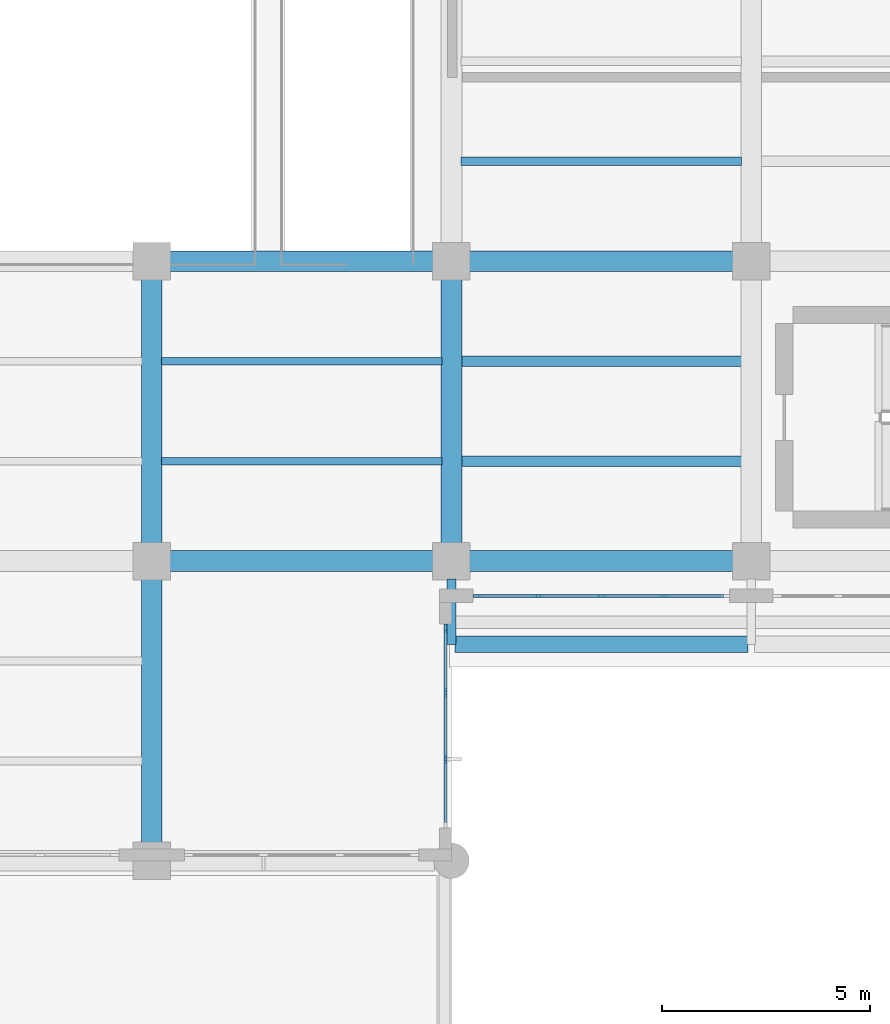
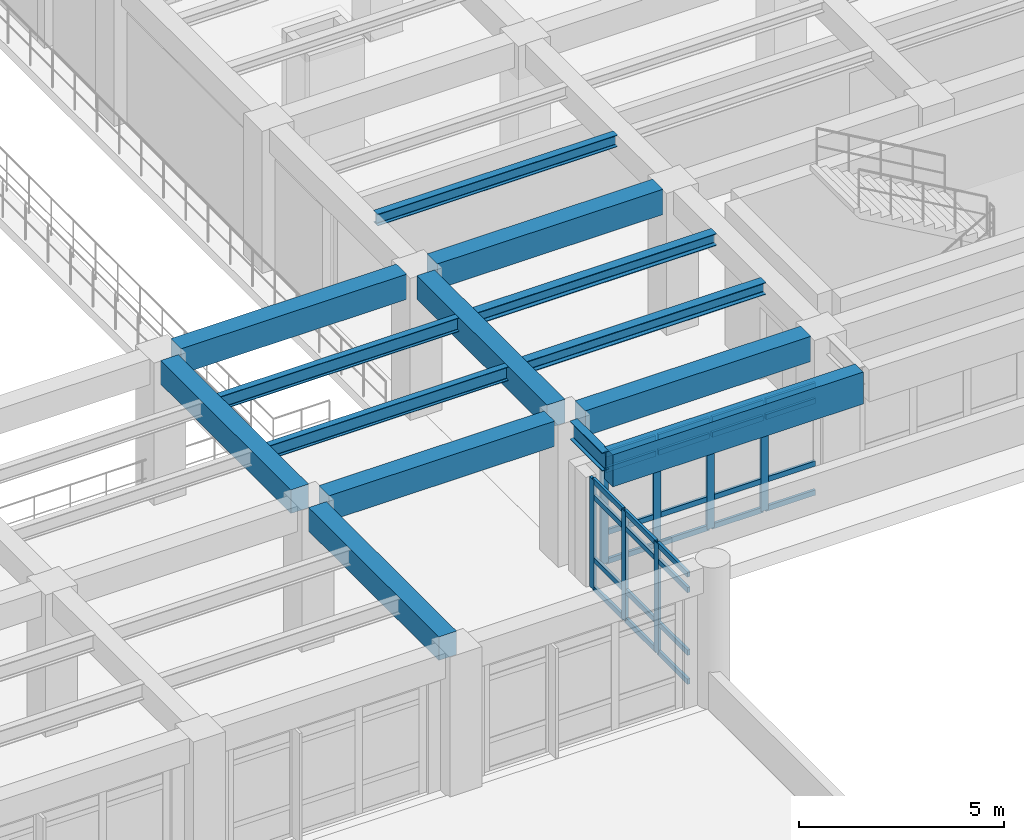
# One storey, part 5 of 69: 35 members, 14 beams, 2 elements without a shape of their own.
"""IFC4 building model written with IfcOpenShell, lengths in metres."""

from ifc_helpers import new_model, si_unit, direction, frame, origin, origin_2d, place, context, subcontext, project, spatial, rectangle, i_section, extrude, material, layer, layer_set, material_profile, profile_set, type_object, element, aggregate, save


model = new_model("IFC4")

# Units and contexts
model_context = context("Model", 3, precision=1e-05, world=origin(), true_north=direction((0.0, 1.0)))
body_context = subcontext(model_context, "Body", "Model", "MODEL_VIEW")
ifc_project = project(units=[si_unit("LENGTHUNIT", "METRE"), si_unit("AREAUNIT", "SQUARE_METRE"), si_unit("VOLUMEUNIT", "CUBIC_METRE"), si_unit("PLANEANGLEUNIT", "RADIAN"), si_unit("MASSUNIT", "GRAM", prefix="KILO")], contexts=[model_context])

# Site, building, storey
site_placement = place(None, origin())
site = spatial("IfcSite", under=ifc_project, at=site_placement, CompositionType="ELEMENT")
building_placement = place(site_placement, origin())
building = spatial("IfcBuilding", under=site, at=building_placement, Name="Solenvale Faculty of Natural Sciences", CompositionType="ELEMENT")
storey_placement = place(building_placement, frame((0.0, 0.0, 4.5)))
storey = spatial("IfcBuildingStorey", under=building, at=storey_placement, Name="L01", CompositionType="ELEMENT", Elevation=4.5)

# Beams
ifc_material_1 = material(Name="Concrete 40 MPa", Category="concrete")
ifc_material_profile_1 = material_profile(ifc_material_1, rectangle(XDim=0.5, YDim=0.699951171875, at=origin_2d()), Name="RC-BM-500x700")
ifc_profile_set_1 = profile_set([ifc_material_profile_1], Name="Concrete 40 MPa")
beam_type_1 = type_object("IfcBeamType", Name="BM-RC-500x700", PredefinedType="BEAM", material=ifc_profile_set_1)
beam_1_placement = place(storey_placement, frame((50.39990234375, 14.830078125, 3.8701171875), z_axis=(0.0, 1.0, 0.0), x_axis=(-1.0, 0.0, 0.0)))
element("IfcBeam", 1, at=beam_1_placement, inside=storey, type_object=beam_type_1, Name="L01 Y-Girder X50.4 (14.4..21.6)", PredefinedType="BEAM", context=body_context, shape_type="SweptSolid", body=[
    extrude(rectangle(XDim=0.5, YDim=0.699951171875, at=origin_2d()), origin(), (0.0, 0.0, 1.0), 6.33984375),
])
for number, where, z_axis, x_axis, name in (
    (2, (50.39990234375, 22.030029296875, 3.8701171875), (0.0, 1.0, 0.0), (-1.0, 0.0, 0.0), "L01 Y-Girder X50.4 (21.6..28.8)"),
    (3, (57.60009765625, 22.030029296875, 3.8701171875), (0.0, 1.0, 0.0), (-1.0, 0.0, 0.0), "L01 Y-Girder X57.6 (21.6..28.8)"),
):
    element("IfcBeam", number, at=place(storey_placement, frame(where, z_axis=z_axis, x_axis=x_axis)), inside=storey, type_object=beam_type_1, Name=name, PredefinedType="BEAM", context=body_context, shape_type="SweptSolid", body=[
        extrude(rectangle(XDim=0.5, YDim=0.699951171875, at=origin_2d()), origin(), (0.0, 0.0, 1.0), 6.340087890625),
    ])
ifc_material_profile_2 = material_profile(ifc_material_1, rectangle(XDim=0.5, YDim=0.75, at=origin_2d()), Name="RC-BM-500x750")
ifc_profile_set_2 = profile_set([ifc_material_profile_2], Name="Concrete 40 MPa")
beam_type_2 = type_object("IfcBeamType", Name="BM-RC-500x750", PredefinedType="BEAM", material=ifc_profile_set_2)
beam_2_placement = place(storey_placement, frame((50.830078125, 21.60009765625, 3.844970703125), z_axis=(1.0, 0.0, 0.0), x_axis=(0.0, 1.0, 0.0)))
element("IfcBeam", 4, at=beam_2_placement, inside=storey, type_object=beam_type_2, Name="L01 X-Girder Y21.6 (50.4..57.6)", PredefinedType="BEAM", context=body_context, shape_type="SweptSolid", body=[
    extrude(rectangle(XDim=0.5, YDim=0.75, at=origin_2d()), origin(), (0.0, 0.0, 1.0), 6.33984375),
])
beam_3_placement = place(storey_placement, frame((58.030029296875, 21.60009765625, 3.844970703125), z_axis=(1.0, 0.0, 0.0), x_axis=(0.0, 1.0, 0.0)))
element("IfcBeam", 5, at=beam_3_placement, inside=storey, type_object=beam_type_2, Name="L01 X-Girder Y21.6 (57.6..64.8)", PredefinedType="BEAM", context=body_context, shape_type="SweptSolid", body=[
    extrude(rectangle(XDim=0.5, YDim=0.75, at=origin_2d()), origin(), (0.0, 0.0, 1.0), 6.340087890625),
])
beam_4_placement = place(storey_placement, frame((50.830078125, 28.800048828125, 3.844970703125), z_axis=(1.0, 0.0, 0.0), x_axis=(0.0, 1.0, 0.0)))
element("IfcBeam", 6, at=beam_4_placement, inside=storey, type_object=beam_type_2, Name="L01 X-Girder Y28.8 (50.4..57.6)", PredefinedType="BEAM", context=body_context, shape_type="SweptSolid", body=[
    extrude(rectangle(XDim=0.5, YDim=0.75, at=origin_2d()), origin(), (0.0, 0.0, 1.0), 6.33984375),
])
beam_5_placement = place(storey_placement, frame((58.030029296875, 28.800048828125, 3.844970703125), z_axis=(1.0, 0.0, 0.0), x_axis=(0.0, 1.0, 0.0)))
element("IfcBeam", 7, at=beam_5_placement, inside=storey, type_object=beam_type_2, Name="L01 X-Girder Y28.8 (57.6..64.8)", PredefinedType="BEAM", context=body_context, shape_type="SweptSolid", body=[
    extrude(rectangle(XDim=0.5, YDim=0.75, at=origin_2d()), origin(), (0.0, 0.0, 1.0), 6.340087890625),
])
ifc_material_2 = material(Name="Architectural bronze concrete 40 MPa", Category="concrete")
ifc_material_profile_3 = material_profile(ifc_material_2, rectangle(XDim=0.39990234375, YDim=0.949951171875, at=origin_2d()), Name="RC-SPN-400x950")
ifc_profile_set_3 = profile_set([ifc_material_profile_3], Name="Architectural bronze concrete 40 MPa")
beam_type_3 = type_object("IfcBeamType", Name="BM-SPN-BRZ-950", PredefinedType="SPANDREL", material=ifc_profile_set_3)
beam_6_placement = place(storey_placement, frame((57.679931640625, 19.60009765625, 3.7451171875), z_axis=(1.0, 0.0, 0.0), x_axis=(0.0, 1.0, 0.0)))
element("IfcBeam", 8, at=beam_6_placement, inside=storey, type_object=beam_type_3, Name="L02 Sliding-Tray South Bronze Fascia 1", PredefinedType="SPANDREL", context=body_context, shape_type="SweptSolid", body=[
    extrude(rectangle(XDim=0.39990234375, YDim=0.949951171875, at=origin_2d()), origin(), (0.0, 0.0, 1.0), 7.0400390625),
])
ifc_material_3 = material(Name="Steel S355", Category="steel")
ifc_material_profile_4 = material_profile(ifc_material_3, i_section(OverallWidth=0.2548828125, OverallDepth=0.35693359375, WebThickness=0.010498046875, FlangeThickness=0.018310546875, FilletRadius=0.014892578125, at=origin_2d()), Name="W360x101")
ifc_profile_set_4 = profile_set([ifc_material_profile_4], Name="Steel S355")
beam_type_4 = type_object("IfcBeamType", Name="BM-STL-W360x101", PredefinedType="JOIST", material=ifc_profile_set_4)
for number, where, z_axis, x_axis, name in (
    (9, (57.830078125, 24.0, 4.04150390625), (1.0, 0.0, 0.0), (0.0, 1.0, 0.0), "L01 Composite Floor Joist (9,4).1"),
    (10, (57.830078125, 26.39990234375, 4.04150390625), (1.0, 0.0, 0.0), (0.0, 1.0, 0.0), "L01 Composite Floor Joist (9,4).2"),
):
    element("IfcBeam", number, at=place(storey_placement, frame(where, z_axis=z_axis, x_axis=x_axis)), inside=storey, type_object=beam_type_4, Name=name, PredefinedType="JOIST", context=body_context, shape_type="SweptSolid", body=[
        extrude(i_section(OverallWidth=0.2548828125, OverallDepth=0.35693359375, WebThickness=0.010498046875, FlangeThickness=0.018310546875, FilletRadius=0.014892578125, at=origin_2d()), origin(), (0.0, 0.0, 1.0), 6.739990234375),
    ])
ifc_material_profile_5 = material_profile(ifc_material_3, i_section(OverallWidth=0.2041015625, OverallDepth=0.35009765625, WebThickness=0.008544921875, FlangeThickness=0.01513671875, FilletRadius=0.014892578125, at=origin_2d()), Name="W360x72")
ifc_profile_set_5 = profile_set([ifc_material_profile_5], Name="Steel S355")
beam_type_5 = type_object("IfcBeamType", Name="BM-STL-W360x72", PredefinedType="JOIST", material=ifc_profile_set_5)
beam_7_placement = place(storey_placement, frame((57.830078125, 31.199951171875, 4.044921875), z_axis=(1.0, 0.0, 0.0), x_axis=(0.0, 1.0, 0.0)))
element("IfcBeam", 11, at=beam_7_placement, inside=storey, type_object=beam_type_5, Name="L01 Composite Floor Joist (9,5).1", PredefinedType="JOIST", context=body_context, shape_type="SweptSolid", body=[
    extrude(i_section(OverallWidth=0.2041015625, OverallDepth=0.35009765625, WebThickness=0.008544921875, FlangeThickness=0.01513671875, FilletRadius=0.014892578125, at=origin_2d()), origin(), (0.0, 0.0, 1.0), 6.739990234375),
])
ifc_material_profile_6 = material_profile(ifc_material_3, i_section(OverallWidth=0.178955078125, OverallDepth=0.409912109375, WebThickness=0.0087890625, FlangeThickness=0.014404296875, FilletRadius=0.01611328125, at=origin_2d()), Name="W410x67")
ifc_profile_set_6 = profile_set([ifc_material_profile_6], Name="Steel S355")
beam_type_6 = type_object("IfcBeamType", Name="BM-STL-W410x67", PredefinedType="JOIST", material=ifc_profile_set_6)
for number, where, z_axis, x_axis, name in (
    (12, (50.6298828125, 24.0, 4.014892578125), (1.0, 0.0, 0.0), (0.0, 1.0, 0.0), "L01 Composite Floor Joist (8,4).1"),
    (13, (50.6298828125, 26.39990234375, 4.014892578125), (1.0, 0.0, 0.0), (0.0, 1.0, 0.0), "L01 Composite Floor Joist (8,4).2"),
):
    element("IfcBeam", number, at=place(storey_placement, frame(where, z_axis=z_axis, x_axis=x_axis)), inside=storey, type_object=beam_type_6, Name=name, PredefinedType="JOIST", context=body_context, shape_type="SweptSolid", body=[
        extrude(i_section(OverallWidth=0.178955078125, OverallDepth=0.409912109375, WebThickness=0.0087890625, FlangeThickness=0.014404296875, FilletRadius=0.01611328125, at=origin_2d()), origin(), (0.0, 0.0, 1.0), 6.740234375),
    ])
ifc_material_profile_7 = material_profile(ifc_material_3, i_section(OverallWidth=0.2119140625, OverallDepth=0.5439453125, WebThickness=0.01318359375, FlangeThickness=0.021240234375, FilletRadius=0.01904296875, at=origin_2d()), Name="W530x123")
ifc_profile_set_7 = profile_set([ifc_material_profile_7], Name="Steel S355")
beam_type_7 = type_object("IfcBeamType", Name="BM-STL-W530x123", PredefinedType="BEAM", material=ifc_profile_set_7)
beam_8_placement = place(storey_placement, frame((57.60009765625, 21.169921875, 3.947998046875), z_axis=(0.0, -1.0, 0.0), x_axis=(1.0, 0.0, 0.0)))
element("IfcBeam", 14, at=beam_8_placement, inside=storey, type_object=beam_type_7, Name="L01 V4 Cantilever Tray Girder X57.6", PredefinedType="BEAM", context=body_context, shape_type="SweptSolid", body=[
    extrude(i_section(OverallWidth=0.2119140625, OverallDepth=0.5439453125, WebThickness=0.01318359375, FlangeThickness=0.021240234375, FilletRadius=0.01904296875, at=origin_2d()), origin(), (0.0, 0.0, 1.0), 1.56982421875),
])

# Curtain wall, members
ifc_material_4 = material(Name="Anodised bronze aluminium", Category="aluminium")
ifc_layer_1 = layer(ifc_material_4, 0.215087890625)
ifc_layer_set_1 = layer_set([ifc_layer_1], Name="Anodised bronze aluminium")
curtain_wall_type_1 = type_object("IfcCurtainWallType", Name="CW-ATR-UNIT", PredefinedType="USERDEFINED", material=ifc_layer_set_1)
curtain_wall_1_placement = place(storey_placement, origin())
curtain_wall_1 = element("IfcCurtainWall", 15, at=curtain_wall_1_placement, inside=storey, type_object=curtain_wall_type_1, Name="L01 Curtain Wall CW-L01-P1-E4-B1", ObjectType="UNITISED CURTAIN WALL", PredefinedType="USERDEFINED")
ifc_material_profile_8 = material_profile(ifc_material_4, rectangle(XDim=0.074951171875, YDim=0.2099609375, at=origin_2d()), Name="ALU-MUL-75x210")
ifc_profile_set_8 = profile_set([ifc_material_profile_8], Name="Anodised bronze aluminium")
member_type_1 = type_object("IfcMemberType", Name="CWM-ALU-75x210", PredefinedType="MULLION", material=ifc_profile_set_8)
member_1_placement = place(storey_placement, frame((57.45751953125, 16.840087890625, 0.0), z_axis=(0.0, 0.0, 1.0), x_axis=(-1.0, 0.0, 0.0)))
member_1 = element("IfcMember", 16, at=member_1_placement, type_object=member_type_1, Name="CW-01 mullion 2", PredefinedType="MULLION", context=body_context, shape_type="SweptSolid", body=[
    extrude(rectangle(XDim=0.074951171875, YDim=0.2099609375, at=origin_2d()), origin(), (0.0, 0.0, 1.0), 3.260009765625),
])
member_2_placement = place(storey_placement, frame((57.45751953125, 18.429931640625, 0.0), z_axis=(0.0, 0.0, 1.0), x_axis=(-1.0, 0.0, 0.0)))
member_2 = element("IfcMember", 17, at=member_2_placement, type_object=member_type_1, Name="CW-01 mullion 3", PredefinedType="MULLION", context=body_context, shape_type="SweptSolid", body=[
    extrude(rectangle(XDim=0.074951171875, YDim=0.2099609375, at=origin_2d()), origin(), (0.0, 0.0, 1.0), 3.260009765625),
])
member_3_placement = place(storey_placement, frame((57.45751953125, 19.982421875, 0.0), z_axis=(0.0, 0.0, 1.0), x_axis=(-1.0, 0.0, 0.0)))
member_3 = element("IfcMember", 18, at=member_3_placement, type_object=member_type_1, Name="CW-01 mullion 4", PredefinedType="MULLION", context=body_context, shape_type="SweptSolid", body=[
    extrude(rectangle(XDim=0.074951171875, YDim=0.2099609375, at=origin_2d()), origin(), (0.0, 0.0, 1.0), 3.260009765625),
])

ifc_layer_2 = layer(ifc_material_4, 0.18994140625)
ifc_layer_set_2 = layer_set([ifc_layer_2], Name="Anodised bronze aluminium")
curtain_wall_type_2 = type_object("IfcCurtainWallType", Name="CW-TRAY-REC", PredefinedType="USERDEFINED", material=ifc_layer_set_2)
curtain_wall_2_placement = place(storey_placement, origin())
curtain_wall_2 = element("IfcCurtainWall", 19, at=curtain_wall_2_placement, inside=storey, type_object=curtain_wall_type_2, Name="L01 Curtain Wall CW-L01-P1-E5-B1", ObjectType="UNITISED CURTAIN WALL", PredefinedType="USERDEFINED")
member_4_placement = place(storey_placement, frame((58.217529296875, 20.762451171875, 0.0), z_axis=(0.0, 0.0, 1.0), x_axis=(0.0, 1.0, 0.0)))
member_4 = element("IfcMember", 20, at=member_4_placement, type_object=member_type_1, Name="CW-02 mullion 1", PredefinedType="MULLION", context=body_context, shape_type="SweptSolid", body=[
    extrude(rectangle(XDim=0.074951171875, YDim=0.2099609375, at=origin_2d()), origin(), (0.0, 0.0, 1.0), 3.260009765625),
])
member_5_placement = place(storey_placement, frame((59.68994140625, 20.762451171875, 0.0), z_axis=(0.0, 0.0, 1.0), x_axis=(0.0, 1.0, 0.0)))
member_5 = element("IfcMember", 21, at=member_5_placement, type_object=member_type_1, Name="CW-02 mullion 2", PredefinedType="MULLION", context=body_context, shape_type="SweptSolid", body=[
    extrude(rectangle(XDim=0.074951171875, YDim=0.2099609375, at=origin_2d()), origin(), (0.0, 0.0, 1.0), 3.260009765625),
])
member_6_placement = place(storey_placement, frame((61.199951171875, 20.762451171875, 0.0), z_axis=(0.0, 0.0, 1.0), x_axis=(0.0, 1.0, 0.0)))
member_6 = element("IfcMember", 22, at=member_6_placement, type_object=member_type_1, Name="CW-02 mullion 3", PredefinedType="MULLION", context=body_context, shape_type="SweptSolid", body=[
    extrude(rectangle(XDim=0.074951171875, YDim=0.2099609375, at=origin_2d()), origin(), (0.0, 0.0, 1.0), 3.260009765625),
])
member_7_placement = place(storey_placement, frame((62.7099609375, 20.762451171875, 0.0), z_axis=(0.0, 0.0, 1.0), x_axis=(0.0, 1.0, 0.0)))
member_7 = element("IfcMember", 23, at=member_7_placement, type_object=member_type_1, Name="CW-02 mullion 4", PredefinedType="MULLION", context=body_context, shape_type="SweptSolid", body=[
    extrude(rectangle(XDim=0.074951171875, YDim=0.2099609375, at=origin_2d()), origin(), (0.0, 0.0, 1.0), 3.260009765625),
])

# Member
ifc_material_profile_9 = material_profile(ifc_material_4, rectangle(XDim=0.074951171875, YDim=0.155029296875, at=origin_2d()), Name="ALU-TRN-75x155")
ifc_profile_set_9 = profile_set([ifc_material_profile_9], Name="Anodised bronze aluminium")
member_type_2 = type_object("IfcMemberType", Name="CWT-ALU-75x155", PredefinedType="USERDEFINED", material=ifc_profile_set_9)
member_8_placement = place(storey_placement, frame((57.45751953125, 15.324951171875, 0.03759765625), z_axis=(0.0, 1.0, 0.0), x_axis=(-1.0, 0.0, 0.0)))
member_8 = element("IfcMember", 24, at=member_8_placement, type_object=member_type_2, Name="CW-01 transom 1.1", ObjectType="TRANSOM", PredefinedType="USERDEFINED", context=body_context, shape_type="SweptSolid", body=[
    extrude(rectangle(XDim=0.074951171875, YDim=0.155029296875, at=origin_2d()), origin(), (0.0, 0.0, 1.0), 1.4775390625),
])

member_9_placement = place(storey_placement, frame((57.45751953125, 15.324951171875, 0.89990234375), z_axis=(0.0, 1.0, 0.0), x_axis=(-1.0, 0.0, 0.0)))
member_9 = element("IfcMember", 25, at=member_9_placement, type_object=member_type_2, Name="CW-01 transom 1.2", ObjectType="TRANSOM", PredefinedType="USERDEFINED", context=body_context, shape_type="SweptSolid", body=[
    extrude(rectangle(XDim=0.074951171875, YDim=0.155029296875, at=origin_2d()), origin(), (0.0, 0.0, 1.0), 1.4775390625),
])

member_10_placement = place(storey_placement, frame((57.45751953125, 15.324951171875, 2.760009765625), z_axis=(0.0, 1.0, 0.0), x_axis=(-1.0, 0.0, 0.0)))
member_10 = element("IfcMember", 26, at=member_10_placement, type_object=member_type_2, Name="CW-01 transom 1.3", ObjectType="TRANSOM", PredefinedType="USERDEFINED", context=body_context, shape_type="SweptSolid", body=[
    extrude(rectangle(XDim=0.074951171875, YDim=0.155029296875, at=origin_2d()), origin(), (0.0, 0.0, 1.0), 1.4775390625),
])

member_11_placement = place(storey_placement, frame((57.45751953125, 15.324951171875, 3.222412109375), z_axis=(0.0, 1.0, 0.0), x_axis=(-1.0, 0.0, 0.0)))
member_11 = element("IfcMember", 27, at=member_11_placement, type_object=member_type_2, Name="CW-01 transom 1.4", ObjectType="TRANSOM", PredefinedType="USERDEFINED", context=body_context, shape_type="SweptSolid", body=[
    extrude(rectangle(XDim=0.074951171875, YDim=0.155029296875, at=origin_2d()), origin(), (0.0, 0.0, 1.0), 1.4775390625),
])

member_12_placement = place(storey_placement, frame((57.45751953125, 16.87744140625, 0.03759765625), z_axis=(0.0, 1.0, 0.0), x_axis=(-1.0, 0.0, 0.0)))
member_12 = element("IfcMember", 28, at=member_12_placement, type_object=member_type_2, Name="CW-01 transom 2.1", ObjectType="TRANSOM", PredefinedType="USERDEFINED", context=body_context, shape_type="SweptSolid", body=[
    extrude(rectangle(XDim=0.074951171875, YDim=0.155029296875, at=origin_2d()), origin(), (0.0, 0.0, 1.0), 1.51513671875),
])

member_13_placement = place(storey_placement, frame((57.45751953125, 16.87744140625, 0.89990234375), z_axis=(0.0, 1.0, 0.0), x_axis=(-1.0, 0.0, 0.0)))
member_13 = element("IfcMember", 29, at=member_13_placement, type_object=member_type_2, Name="CW-01 transom 2.2", ObjectType="TRANSOM", PredefinedType="USERDEFINED", context=body_context, shape_type="SweptSolid", body=[
    extrude(rectangle(XDim=0.074951171875, YDim=0.155029296875, at=origin_2d()), origin(), (0.0, 0.0, 1.0), 1.51513671875),
])

member_14_placement = place(storey_placement, frame((57.45751953125, 16.87744140625, 2.760009765625), z_axis=(0.0, 1.0, 0.0), x_axis=(-1.0, 0.0, 0.0)))
member_14 = element("IfcMember", 30, at=member_14_placement, type_object=member_type_2, Name="CW-01 transom 2.3", ObjectType="TRANSOM", PredefinedType="USERDEFINED", context=body_context, shape_type="SweptSolid", body=[
    extrude(rectangle(XDim=0.074951171875, YDim=0.155029296875, at=origin_2d()), origin(), (0.0, 0.0, 1.0), 1.51513671875),
])

member_15_placement = place(storey_placement, frame((57.45751953125, 16.87744140625, 3.222412109375), z_axis=(0.0, 1.0, 0.0), x_axis=(-1.0, 0.0, 0.0)))
member_15 = element("IfcMember", 31, at=member_15_placement, type_object=member_type_2, Name="CW-01 transom 2.4", ObjectType="TRANSOM", PredefinedType="USERDEFINED", context=body_context, shape_type="SweptSolid", body=[
    extrude(rectangle(XDim=0.074951171875, YDim=0.155029296875, at=origin_2d()), origin(), (0.0, 0.0, 1.0), 1.51513671875),
])

member_16_placement = place(storey_placement, frame((57.45751953125, 18.467529296875, 0.03759765625), z_axis=(0.0, 1.0, 0.0), x_axis=(-1.0, 0.0, 0.0)))
member_16 = element("IfcMember", 32, at=member_16_placement, type_object=member_type_2, Name="CW-01 transom 3.1", ObjectType="TRANSOM", PredefinedType="USERDEFINED", context=body_context, shape_type="SweptSolid", body=[
    extrude(rectangle(XDim=0.074951171875, YDim=0.155029296875, at=origin_2d()), origin(), (0.0, 0.0, 1.0), 1.4775390625),
])

member_17_placement = place(storey_placement, frame((57.45751953125, 18.467529296875, 0.89990234375), z_axis=(0.0, 1.0, 0.0), x_axis=(-1.0, 0.0, 0.0)))
member_17 = element("IfcMember", 33, at=member_17_placement, type_object=member_type_2, Name="CW-01 transom 3.2", ObjectType="TRANSOM", PredefinedType="USERDEFINED", context=body_context, shape_type="SweptSolid", body=[
    extrude(rectangle(XDim=0.074951171875, YDim=0.155029296875, at=origin_2d()), origin(), (0.0, 0.0, 1.0), 1.4775390625),
])

member_18_placement = place(storey_placement, frame((57.45751953125, 18.467529296875, 2.760009765625), z_axis=(0.0, 1.0, 0.0), x_axis=(-1.0, 0.0, 0.0)))
member_18 = element("IfcMember", 34, at=member_18_placement, type_object=member_type_2, Name="CW-01 transom 3.3", ObjectType="TRANSOM", PredefinedType="USERDEFINED", context=body_context, shape_type="SweptSolid", body=[
    extrude(rectangle(XDim=0.074951171875, YDim=0.155029296875, at=origin_2d()), origin(), (0.0, 0.0, 1.0), 1.4775390625),
])

member_19_placement = place(storey_placement, frame((57.45751953125, 18.467529296875, 3.222412109375), z_axis=(0.0, 1.0, 0.0), x_axis=(-1.0, 0.0, 0.0)))
member_19 = element("IfcMember", 35, at=member_19_placement, type_object=member_type_2, Name="CW-01 transom 3.4", ObjectType="TRANSOM", PredefinedType="USERDEFINED", context=body_context, shape_type="SweptSolid", body=[
    extrude(rectangle(XDim=0.074951171875, YDim=0.155029296875, at=origin_2d()), origin(), (0.0, 0.0, 1.0), 1.4775390625),
])

aggregate(curtain_wall_1, [member_1, member_2, member_3, member_8, member_9, member_10, member_11, member_12, member_13, member_14, member_15, member_16, member_17, member_18, member_19])

member_20_placement = place(storey_placement, frame((58.2548828125, 20.762451171875, 0.03759765625), z_axis=(1.0, 0.0, 0.0), x_axis=(0.0, 1.0, 0.0)))
member_20 = element("IfcMember", 36, at=member_20_placement, type_object=member_type_2, Name="CW-02 transom 1.1", ObjectType="TRANSOM", PredefinedType="USERDEFINED", context=body_context, shape_type="SweptSolid", body=[
    extrude(rectangle(XDim=0.074951171875, YDim=0.155029296875, at=origin_2d()), origin(), (0.0, 0.0, 1.0), 1.397705078125),
])

member_21_placement = place(storey_placement, frame((58.2548828125, 20.762451171875, 0.89990234375), z_axis=(1.0, 0.0, 0.0), x_axis=(0.0, 1.0, 0.0)))
member_21 = element("IfcMember", 37, at=member_21_placement, type_object=member_type_2, Name="CW-02 transom 1.2", ObjectType="TRANSOM", PredefinedType="USERDEFINED", context=body_context, shape_type="SweptSolid", body=[
    extrude(rectangle(XDim=0.074951171875, YDim=0.155029296875, at=origin_2d()), origin(), (0.0, 0.0, 1.0), 1.397705078125),
])

member_22_placement = place(storey_placement, frame((58.2548828125, 20.762451171875, 2.760009765625), z_axis=(1.0, 0.0, 0.0), x_axis=(0.0, 1.0, 0.0)))
member_22 = element("IfcMember", 38, at=member_22_placement, type_object=member_type_2, Name="CW-02 transom 1.3", ObjectType="TRANSOM", PredefinedType="USERDEFINED", context=body_context, shape_type="SweptSolid", body=[
    extrude(rectangle(XDim=0.074951171875, YDim=0.155029296875, at=origin_2d()), origin(), (0.0, 0.0, 1.0), 1.397705078125),
])

member_23_placement = place(storey_placement, frame((58.2548828125, 20.762451171875, 3.222412109375), z_axis=(1.0, 0.0, 0.0), x_axis=(0.0, 1.0, 0.0)))
member_23 = element("IfcMember", 39, at=member_23_placement, type_object=member_type_2, Name="CW-02 transom 1.4", ObjectType="TRANSOM", PredefinedType="USERDEFINED", context=body_context, shape_type="SweptSolid", body=[
    extrude(rectangle(XDim=0.074951171875, YDim=0.155029296875, at=origin_2d()), origin(), (0.0, 0.0, 1.0), 1.397705078125),
])

member_24_placement = place(storey_placement, frame((59.7275390625, 20.762451171875, 0.03759765625), z_axis=(1.0, 0.0, 0.0), x_axis=(0.0, 1.0, 0.0)))
member_24 = element("IfcMember", 40, at=member_24_placement, type_object=member_type_2, Name="CW-02 transom 2.1", ObjectType="TRANSOM", PredefinedType="USERDEFINED", context=body_context, shape_type="SweptSolid", body=[
    extrude(rectangle(XDim=0.074951171875, YDim=0.155029296875, at=origin_2d()), origin(), (0.0, 0.0, 1.0), 1.43505859375),
])

member_25_placement = place(storey_placement, frame((59.7275390625, 20.762451171875, 0.89990234375), z_axis=(1.0, 0.0, 0.0), x_axis=(0.0, 1.0, 0.0)))
member_25 = element("IfcMember", 41, at=member_25_placement, type_object=member_type_2, Name="CW-02 transom 2.2", ObjectType="TRANSOM", PredefinedType="USERDEFINED", context=body_context, shape_type="SweptSolid", body=[
    extrude(rectangle(XDim=0.074951171875, YDim=0.155029296875, at=origin_2d()), origin(), (0.0, 0.0, 1.0), 1.43505859375),
])

member_26_placement = place(storey_placement, frame((59.7275390625, 20.762451171875, 2.760009765625), z_axis=(1.0, 0.0, 0.0), x_axis=(0.0, 1.0, 0.0)))
member_26 = element("IfcMember", 42, at=member_26_placement, type_object=member_type_2, Name="CW-02 transom 2.3", ObjectType="TRANSOM", PredefinedType="USERDEFINED", context=body_context, shape_type="SweptSolid", body=[
    extrude(rectangle(XDim=0.074951171875, YDim=0.155029296875, at=origin_2d()), origin(), (0.0, 0.0, 1.0), 1.43505859375),
])

member_27_placement = place(storey_placement, frame((59.7275390625, 20.762451171875, 3.222412109375), z_axis=(1.0, 0.0, 0.0), x_axis=(0.0, 1.0, 0.0)))
member_27 = element("IfcMember", 43, at=member_27_placement, type_object=member_type_2, Name="CW-02 transom 2.4", ObjectType="TRANSOM", PredefinedType="USERDEFINED", context=body_context, shape_type="SweptSolid", body=[
    extrude(rectangle(XDim=0.074951171875, YDim=0.155029296875, at=origin_2d()), origin(), (0.0, 0.0, 1.0), 1.43505859375),
])

member_28_placement = place(storey_placement, frame((61.237548828125, 20.762451171875, 0.03759765625), z_axis=(1.0, 0.0, 0.0), x_axis=(0.0, 1.0, 0.0)))
member_28 = element("IfcMember", 44, at=member_28_placement, type_object=member_type_2, Name="CW-02 transom 3.1", ObjectType="TRANSOM", PredefinedType="USERDEFINED", context=body_context, shape_type="SweptSolid", body=[
    extrude(rectangle(XDim=0.074951171875, YDim=0.155029296875, at=origin_2d()), origin(), (0.0, 0.0, 1.0), 1.43505859375),
])

member_29_placement = place(storey_placement, frame((61.237548828125, 20.762451171875, 0.89990234375), z_axis=(1.0, 0.0, 0.0), x_axis=(0.0, 1.0, 0.0)))
member_29 = element("IfcMember", 45, at=member_29_placement, type_object=member_type_2, Name="CW-02 transom 3.2", ObjectType="TRANSOM", PredefinedType="USERDEFINED", context=body_context, shape_type="SweptSolid", body=[
    extrude(rectangle(XDim=0.074951171875, YDim=0.155029296875, at=origin_2d()), origin(), (0.0, 0.0, 1.0), 1.43505859375),
])

member_30_placement = place(storey_placement, frame((61.237548828125, 20.762451171875, 2.760009765625), z_axis=(1.0, 0.0, 0.0), x_axis=(0.0, 1.0, 0.0)))
member_30 = element("IfcMember", 46, at=member_30_placement, type_object=member_type_2, Name="CW-02 transom 3.3", ObjectType="TRANSOM", PredefinedType="USERDEFINED", context=body_context, shape_type="SweptSolid", body=[
    extrude(rectangle(XDim=0.074951171875, YDim=0.155029296875, at=origin_2d()), origin(), (0.0, 0.0, 1.0), 1.43505859375),
])

member_31_placement = place(storey_placement, frame((61.237548828125, 20.762451171875, 3.222412109375), z_axis=(1.0, 0.0, 0.0), x_axis=(0.0, 1.0, 0.0)))
member_31 = element("IfcMember", 47, at=member_31_placement, type_object=member_type_2, Name="CW-02 transom 3.4", ObjectType="TRANSOM", PredefinedType="USERDEFINED", context=body_context, shape_type="SweptSolid", body=[
    extrude(rectangle(XDim=0.074951171875, YDim=0.155029296875, at=origin_2d()), origin(), (0.0, 0.0, 1.0), 1.43505859375),
])

member_32_placement = place(storey_placement, frame((62.74755859375, 20.762451171875, 0.03759765625), z_axis=(1.0, 0.0, 0.0), x_axis=(0.0, 1.0, 0.0)))
member_32 = element("IfcMember", 48, at=member_32_placement, type_object=member_type_2, Name="CW-02 transom 4.1", ObjectType="TRANSOM", PredefinedType="USERDEFINED", context=body_context, shape_type="SweptSolid", body=[
    extrude(rectangle(XDim=0.074951171875, YDim=0.155029296875, at=origin_2d()), origin(), (0.0, 0.0, 1.0), 1.3974609375),
])

member_33_placement = place(storey_placement, frame((62.74755859375, 20.762451171875, 0.89990234375), z_axis=(1.0, 0.0, 0.0), x_axis=(0.0, 1.0, 0.0)))
member_33 = element("IfcMember", 49, at=member_33_placement, type_object=member_type_2, Name="CW-02 transom 4.2", ObjectType="TRANSOM", PredefinedType="USERDEFINED", context=body_context, shape_type="SweptSolid", body=[
    extrude(rectangle(XDim=0.074951171875, YDim=0.155029296875, at=origin_2d()), origin(), (0.0, 0.0, 1.0), 1.3974609375),
])

member_34_placement = place(storey_placement, frame((62.74755859375, 20.762451171875, 2.760009765625), z_axis=(1.0, 0.0, 0.0), x_axis=(0.0, 1.0, 0.0)))
member_34 = element("IfcMember", 50, at=member_34_placement, type_object=member_type_2, Name="CW-02 transom 4.3", ObjectType="TRANSOM", PredefinedType="USERDEFINED", context=body_context, shape_type="SweptSolid", body=[
    extrude(rectangle(XDim=0.074951171875, YDim=0.155029296875, at=origin_2d()), origin(), (0.0, 0.0, 1.0), 1.3974609375),
])

member_35_placement = place(storey_placement, frame((62.74755859375, 20.762451171875, 3.222412109375), z_axis=(1.0, 0.0, 0.0), x_axis=(0.0, 1.0, 0.0)))
member_35 = element("IfcMember", 51, at=member_35_placement, type_object=member_type_2, Name="CW-02 transom 4.4", ObjectType="TRANSOM", PredefinedType="USERDEFINED", context=body_context, shape_type="SweptSolid", body=[
    extrude(rectangle(XDim=0.074951171875, YDim=0.155029296875, at=origin_2d()), origin(), (0.0, 0.0, 1.0), 1.3974609375),
])

aggregate(curtain_wall_2, [member_4, member_5, member_6, member_7, member_20, member_21, member_22, member_23, member_24, member_25, member_26, member_27, member_28, member_29, member_30, member_31, member_32, member_33, member_34, member_35])

save(model, "model.ifc")
